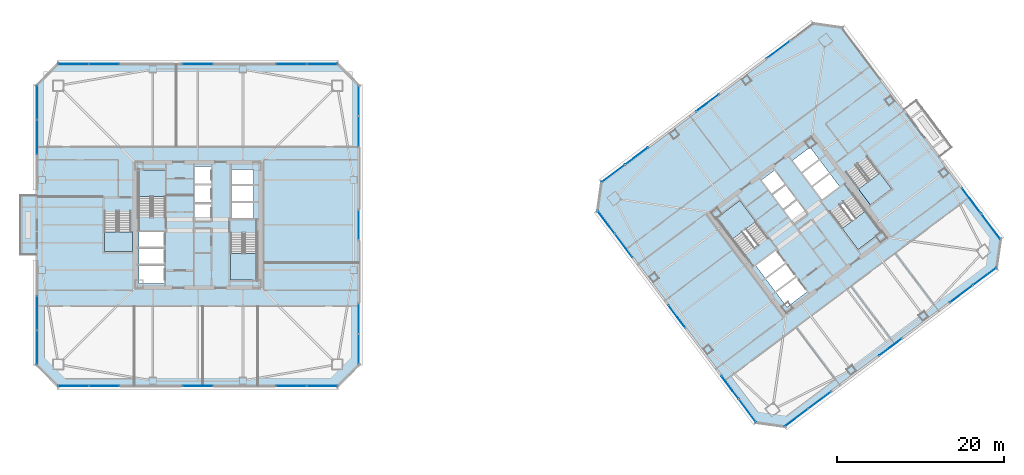
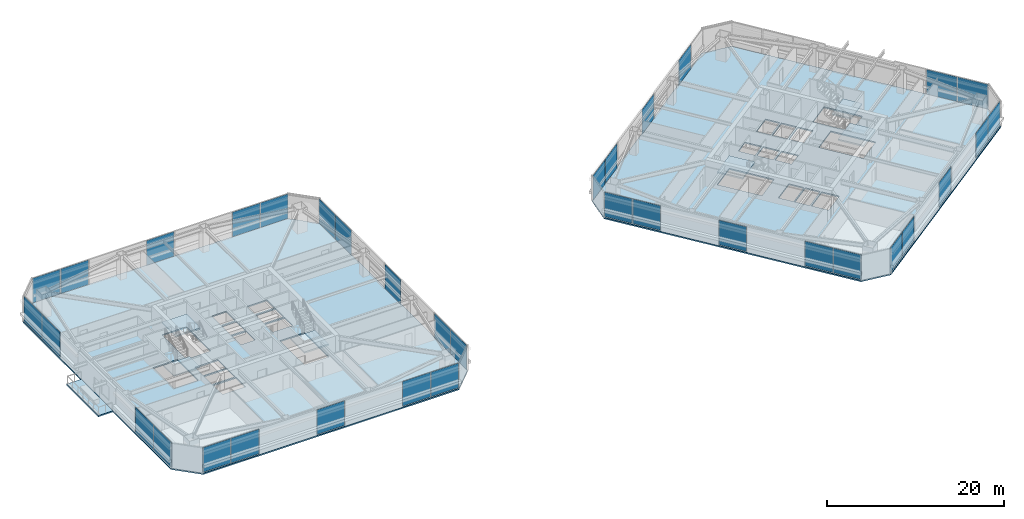
# One storey, part 32 of 44: 35 plates, 9 slabs, 27 elements without a shape of their own.
"""IFC4 building model written with IfcOpenShell, lengths in metres."""

from ifc_helpers import new_model, si_unit, direction, frame, origin, origin_2d, place, context, subcontext, project, spatial, polyline, rectangle, outline, extrude, material, layer, layer_set, type_object, element, aggregate, save


model = new_model("IFC4")

# Units and contexts
model_context = context("Model", 3, precision=1e-05, world=origin(), true_north=direction((0.0, 1.0)))
body_context = subcontext(model_context, "Body", "Model", "MODEL_VIEW")
ifc_project = project(units=[si_unit("LENGTHUNIT", "METRE"), si_unit("AREAUNIT", "SQUARE_METRE"), si_unit("VOLUMEUNIT", "CUBIC_METRE"), si_unit("PLANEANGLEUNIT", "RADIAN"), si_unit("MASSUNIT", "GRAM", prefix="KILO")], contexts=[model_context])

# Site, building, storey
site_placement = place(None, origin())
site = spatial("IfcSite", under=ifc_project, at=site_placement, CompositionType="ELEMENT")
building_placement = place(site_placement, origin())
building = spatial("IfcBuilding", under=site, at=building_placement, Name="Tashvorn Skyway Center", CompositionType="ELEMENT")
storey_placement = place(building_placement, frame((0.0, 0.0, 128.60009765625)))
storey = spatial("IfcBuildingStorey", under=building, at=storey_placement, Name="L34", CompositionType="ELEMENT", Elevation=128.60009765625)

# Curtain wall, plates
ifc_material_1 = material(Name="Thermally broken bronze-anodized aluminium 6063-T6", Category="aluminium")
curtain_wall_type = type_object("IfcCurtainWallType", Name="CW-CW-Z3", PredefinedType="NOTDEFINED", material=ifc_material_1)
curtain_wall_1_placement = place(storey_placement, origin())
curtain_wall_1 = element("IfcCurtainWall", 1, at=curtain_wall_1_placement, inside=storey, type_object=curtain_wall_type, Name="Tower 1 L34 South Unitised Curtain Wall Glazing Group 1", PredefinedType="NOTDEFINED")
ifc_material_2 = material(Name="Low-E solar-control double insulating safety glass", Category="glass")
ifc_layer_1 = layer(ifc_material_2, 0.0400390625)
ifc_layer_set_1 = layer_set([ifc_layer_1], Name="Low-E solar-control double insulating safety glass")
plate_type = type_object("IfcPlateType", Name="CWP-CW-Z3", PredefinedType="CURTAIN_PANEL", material=ifc_layer_set_1)
plate_1_placement = place(storey_placement, frame((56.896728515625, 12.719970703125, 0.074951171875), z_axis=(0.0, 0.0, 1.0), x_axis=(-1.0, 0.0, 0.0)))
plate_1 = element("IfcPlate", 2, at=plate_1_placement, type_object=plate_type, Name="CW-Z3 panel 1.1", PredefinedType="CURTAIN_PANEL", context=body_context, shape_type="SweptSolid", body=[
    extrude(rectangle(XDim=3.616455078125, YDim=0.0400390625, at=origin_2d()), origin(), (0.0, 0.0, 1.0), 3.39990234375),
])
plate_2_placement = place(storey_placement, frame((53.205322265625, 12.719970703125, 0.074951171875), z_axis=(0.0, 0.0, 1.0), x_axis=(-1.0, 0.0, 0.0)))
plate_2 = element("IfcPlate", 3, at=plate_2_placement, type_object=plate_type, Name="CW-Z3 panel 2.1", PredefinedType="CURTAIN_PANEL", context=body_context, shape_type="SweptSolid", body=[
    extrude(rectangle(XDim=3.616455078125, YDim=0.0400390625, at=origin_2d()), origin(), (0.0, 0.0, 1.0), 3.39990234375),
])
aggregate(curtain_wall_1, [plate_1, plate_2])

# Curtain wall, plate
curtain_wall_2_placement = place(storey_placement, origin())
curtain_wall_2 = element("IfcCurtainWall", 4, at=curtain_wall_2_placement, inside=storey, type_object=curtain_wall_type, Name="Tower 1 L34 South Unitised Curtain Wall Glazing Group 2", PredefinedType="NOTDEFINED")
plate_3_placement = place(storey_placement, frame((42.0, 12.719970703125, 0.074951171875), z_axis=(0.0, 0.0, 1.0), x_axis=(-1.0, 0.0, 0.0)))
plate_3 = element("IfcPlate", 5, at=plate_3_placement, type_object=plate_type, Name="CW-Z3 panel 1.1", PredefinedType="CURTAIN_PANEL", context=body_context, shape_type="SweptSolid", body=[
    extrude(rectangle(XDim=3.578857421875, YDim=0.0400390625, at=origin_2d()), origin(), (0.0, 0.0, 1.0), 3.39990234375),
])
aggregate(curtain_wall_2, [plate_3])

# Curtain wall, plates
curtain_wall_3_placement = place(storey_placement, origin())
curtain_wall_3 = element("IfcCurtainWall", 6, at=curtain_wall_3_placement, inside=storey, type_object=curtain_wall_type, Name="Tower 1 L34 South Unitised Curtain Wall Glazing Group 3", PredefinedType="NOTDEFINED")
plate_4_placement = place(storey_placement, frame((30.794677734375, 12.719970703125, 0.074951171875), z_axis=(0.0, 0.0, 1.0), x_axis=(-1.0, 0.0, 0.0)))
plate_4 = element("IfcPlate", 7, at=plate_4_placement, type_object=plate_type, Name="CW-Z3 panel 1.1", PredefinedType="CURTAIN_PANEL", context=body_context, shape_type="SweptSolid", body=[
    extrude(rectangle(XDim=3.616455078125, YDim=0.0400390625, at=origin_2d()), origin(), (0.0, 0.0, 1.0), 3.39990234375),
])
plate_5_placement = place(storey_placement, frame((27.103271484375, 12.719970703125, 0.074951171875), z_axis=(0.0, 0.0, 1.0), x_axis=(-1.0, 0.0, 0.0)))
plate_5 = element("IfcPlate", 8, at=plate_5_placement, type_object=plate_type, Name="CW-Z3 panel 2.1", PredefinedType="CURTAIN_PANEL", context=body_context, shape_type="SweptSolid", body=[
    extrude(rectangle(XDim=3.616455078125, YDim=0.0400390625, at=origin_2d()), origin(), (0.0, 0.0, 1.0), 3.39990234375),
])
aggregate(curtain_wall_3, [plate_4, plate_5])

curtain_wall_4_placement = place(storey_placement, origin())
curtain_wall_4 = element("IfcCurtainWall", 9, at=curtain_wall_4_placement, inside=storey, type_object=curtain_wall_type, Name="Tower 1 L34 West Curtain Wall L Glazing Group 1", PredefinedType="NOTDEFINED")
plate_6_placement = place(storey_placement, frame((22.719970703125, 17.3271484375, 0.074951171875), z_axis=(0.0, 0.0, 1.0), x_axis=(0.0, 1.0, 0.0)))
plate_6 = element("IfcPlate", 10, at=plate_6_placement, type_object=plate_type, Name="CW-Z3 panel 1.1", PredefinedType="CURTAIN_PANEL", context=body_context, shape_type="SweptSolid", body=[
    extrude(rectangle(XDim=4.064208984375, YDim=0.0400390625, at=origin_2d()), origin(), (0.0, 0.0, 1.0), 3.39990234375),
])
plate_7_placement = place(storey_placement, frame((22.719970703125, 21.46630859375, 0.074951171875), z_axis=(0.0, 0.0, 1.0), x_axis=(0.0, 1.0, 0.0)))
plate_7 = element("IfcPlate", 11, at=plate_7_placement, type_object=plate_type, Name="CW-Z3 panel 2.1", PredefinedType="CURTAIN_PANEL", context=body_context, shape_type="SweptSolid", body=[
    extrude(rectangle(XDim=4.064208984375, YDim=0.0400390625, at=origin_2d()), origin(), (0.0, 0.0, 1.0), 3.39990234375),
])
aggregate(curtain_wall_4, [plate_6, plate_7])

curtain_wall_5_placement = place(storey_placement, origin())
curtain_wall_5 = element("IfcCurtainWall", 12, at=curtain_wall_5_placement, inside=storey, type_object=curtain_wall_type, Name="Tower 1 L34 West Curtain Wall R Glazing Group 1", PredefinedType="NOTDEFINED")
plate_8_placement = place(storey_placement, frame((22.719970703125, 42.53369140625, 0.074951171875), z_axis=(0.0, 0.0, 1.0), x_axis=(0.0, 1.0, 0.0)))
plate_8 = element("IfcPlate", 13, at=plate_8_placement, type_object=plate_type, Name="CW-Z3 panel 1.1", PredefinedType="CURTAIN_PANEL", context=body_context, shape_type="SweptSolid", body=[
    extrude(rectangle(XDim=4.064208984375, YDim=0.0400390625, at=origin_2d()), origin(), (0.0, 0.0, 1.0), 3.39990234375),
])
plate_9_placement = place(storey_placement, frame((22.719970703125, 46.6728515625, 0.074951171875), z_axis=(0.0, 0.0, 1.0), x_axis=(0.0, 1.0, 0.0)))
plate_9 = element("IfcPlate", 14, at=plate_9_placement, type_object=plate_type, Name="CW-Z3 panel 2.1", PredefinedType="CURTAIN_PANEL", context=body_context, shape_type="SweptSolid", body=[
    extrude(rectangle(XDim=4.064208984375, YDim=0.0400390625, at=origin_2d()), origin(), (0.0, 0.0, 1.0), 3.39990234375),
])
aggregate(curtain_wall_5, [plate_8, plate_9])

curtain_wall_6_placement = place(storey_placement, origin())
curtain_wall_6 = element("IfcCurtainWall", 15, at=curtain_wall_6_placement, inside=storey, type_object=curtain_wall_type, Name="Tower 1 L34 North Unitised Curtain Wall Glazing Group 1", PredefinedType="NOTDEFINED")
plate_10_placement = place(storey_placement, frame((27.103271484375, 51.280029296875, 0.074951171875), z_axis=(0.0, 0.0, 1.0), x_axis=(1.0, 0.0, 0.0)))
plate_10 = element("IfcPlate", 16, at=plate_10_placement, type_object=plate_type, Name="CW-Z3 panel 1.1", PredefinedType="CURTAIN_PANEL", context=body_context, shape_type="SweptSolid", body=[
    extrude(rectangle(XDim=3.616455078125, YDim=0.0400390625, at=origin_2d()), origin(), (0.0, 0.0, 1.0), 3.39990234375),
])
plate_11_placement = place(storey_placement, frame((30.794677734375, 51.280029296875, 0.074951171875), z_axis=(0.0, 0.0, 1.0), x_axis=(1.0, 0.0, 0.0)))
plate_11 = element("IfcPlate", 17, at=plate_11_placement, type_object=plate_type, Name="CW-Z3 panel 2.1", PredefinedType="CURTAIN_PANEL", context=body_context, shape_type="SweptSolid", body=[
    extrude(rectangle(XDim=3.616455078125, YDim=0.0400390625, at=origin_2d()), origin(), (0.0, 0.0, 1.0), 3.39990234375),
])
aggregate(curtain_wall_6, [plate_10, plate_11])

# Curtain wall, plate
curtain_wall_7_placement = place(storey_placement, origin())
curtain_wall_7 = element("IfcCurtainWall", 18, at=curtain_wall_7_placement, inside=storey, type_object=curtain_wall_type, Name="Tower 1 L34 North Unitised Curtain Wall Glazing Group 2", PredefinedType="NOTDEFINED")
plate_12_placement = place(storey_placement, frame((42.0, 51.280029296875, 0.074951171875), z_axis=(0.0, 0.0, 1.0), x_axis=(1.0, 0.0, 0.0)))
plate_12 = element("IfcPlate", 19, at=plate_12_placement, type_object=plate_type, Name="CW-Z3 panel 1.1", PredefinedType="CURTAIN_PANEL", context=body_context, shape_type="SweptSolid", body=[
    extrude(rectangle(XDim=3.578857421875, YDim=0.0400390625, at=origin_2d()), origin(), (0.0, 0.0, 1.0), 3.39990234375),
])
aggregate(curtain_wall_7, [plate_12])

# Curtain wall, plates
curtain_wall_8_placement = place(storey_placement, origin())
curtain_wall_8 = element("IfcCurtainWall", 20, at=curtain_wall_8_placement, inside=storey, type_object=curtain_wall_type, Name="Tower 1 L34 North Unitised Curtain Wall Glazing Group 3", PredefinedType="NOTDEFINED")
plate_13_placement = place(storey_placement, frame((53.205322265625, 51.280029296875, 0.074951171875), z_axis=(0.0, 0.0, 1.0), x_axis=(1.0, 0.0, 0.0)))
plate_13 = element("IfcPlate", 21, at=plate_13_placement, type_object=plate_type, Name="CW-Z3 panel 1.1", PredefinedType="CURTAIN_PANEL", context=body_context, shape_type="SweptSolid", body=[
    extrude(rectangle(XDim=3.616455078125, YDim=0.0400390625, at=origin_2d()), origin(), (0.0, 0.0, 1.0), 3.39990234375),
])
plate_14_placement = place(storey_placement, frame((56.896728515625, 51.280029296875, 0.074951171875), z_axis=(0.0, 0.0, 1.0), x_axis=(1.0, 0.0, 0.0)))
plate_14 = element("IfcPlate", 22, at=plate_14_placement, type_object=plate_type, Name="CW-Z3 panel 2.1", PredefinedType="CURTAIN_PANEL", context=body_context, shape_type="SweptSolid", body=[
    extrude(rectangle(XDim=3.616455078125, YDim=0.0400390625, at=origin_2d()), origin(), (0.0, 0.0, 1.0), 3.39990234375),
])
aggregate(curtain_wall_8, [plate_13, plate_14])

curtain_wall_9_placement = place(storey_placement, origin())
curtain_wall_9 = element("IfcCurtainWall", 23, at=curtain_wall_9_placement, inside=storey, type_object=curtain_wall_type, Name="Tower 1 L34 East Unitised Curtain Wall Glazing Group 1", PredefinedType="NOTDEFINED")
plate_15_placement = place(storey_placement, frame((61.280029296875, 46.896728515625, 0.074951171875), z_axis=(0.0, 0.0, 1.0), x_axis=(0.0, -1.0, 0.0)))
plate_15 = element("IfcPlate", 24, at=plate_15_placement, type_object=plate_type, Name="CW-Z3 panel 1.1", PredefinedType="CURTAIN_PANEL", context=body_context, shape_type="SweptSolid", body=[
    extrude(rectangle(XDim=3.616455078125, YDim=0.0400390625, at=origin_2d()), origin(), (0.0, 0.0, 1.0), 3.39990234375),
])
plate_16_placement = place(storey_placement, frame((61.280029296875, 43.205322265625, 0.074951171875), z_axis=(0.0, 0.0, 1.0), x_axis=(0.0, -1.0, 0.0)))
plate_16 = element("IfcPlate", 25, at=plate_16_placement, type_object=plate_type, Name="CW-Z3 panel 2.1", PredefinedType="CURTAIN_PANEL", context=body_context, shape_type="SweptSolid", body=[
    extrude(rectangle(XDim=3.616455078125, YDim=0.0400390625, at=origin_2d()), origin(), (0.0, 0.0, 1.0), 3.39990234375),
])
aggregate(curtain_wall_9, [plate_15, plate_16])

# Curtain wall, plate
curtain_wall_10_placement = place(storey_placement, origin())
curtain_wall_10 = element("IfcCurtainWall", 26, at=curtain_wall_10_placement, inside=storey, type_object=curtain_wall_type, Name="Tower 1 L34 East Unitised Curtain Wall Glazing Group 2", PredefinedType="NOTDEFINED")
plate_17_placement = place(storey_placement, frame((61.280029296875, 32.0, 0.074951171875), z_axis=(0.0, 0.0, 1.0), x_axis=(0.0, -1.0, 0.0)))
plate_17 = element("IfcPlate", 27, at=plate_17_placement, type_object=plate_type, Name="CW-Z3 panel 1.1", PredefinedType="CURTAIN_PANEL", context=body_context, shape_type="SweptSolid", body=[
    extrude(rectangle(XDim=3.578857421875, YDim=0.0400390625, at=origin_2d()), origin(), (0.0, 0.0, 1.0), 3.39990234375),
])
aggregate(curtain_wall_10, [plate_17])

# Curtain wall, plates
curtain_wall_11_placement = place(storey_placement, origin())
curtain_wall_11 = element("IfcCurtainWall", 28, at=curtain_wall_11_placement, inside=storey, type_object=curtain_wall_type, Name="Tower 1 L34 East Unitised Curtain Wall Glazing Group 3", PredefinedType="NOTDEFINED")
plate_18_placement = place(storey_placement, frame((61.280029296875, 20.794677734375, 0.074951171875), z_axis=(0.0, 0.0, 1.0), x_axis=(0.0, -1.0, 0.0)))
plate_18 = element("IfcPlate", 29, at=plate_18_placement, type_object=plate_type, Name="CW-Z3 panel 1.1", PredefinedType="CURTAIN_PANEL", context=body_context, shape_type="SweptSolid", body=[
    extrude(rectangle(XDim=3.616455078125, YDim=0.0400390625, at=origin_2d()), origin(), (0.0, 0.0, 1.0), 3.39990234375),
])
plate_19_placement = place(storey_placement, frame((61.280029296875, 17.103271484375, 0.074951171875), z_axis=(0.0, 0.0, 1.0), x_axis=(0.0, -1.0, 0.0)))
plate_19 = element("IfcPlate", 30, at=plate_19_placement, type_object=plate_type, Name="CW-Z3 panel 2.1", PredefinedType="CURTAIN_PANEL", context=body_context, shape_type="SweptSolid", body=[
    extrude(rectangle(XDim=3.616455078125, YDim=0.0400390625, at=origin_2d()), origin(), (0.0, 0.0, 1.0), 3.39990234375),
])
aggregate(curtain_wall_11, [plate_18, plate_19])

curtain_wall_12_placement = place(storey_placement, origin())
curtain_wall_12 = element("IfcCurtainWall", 31, at=curtain_wall_12_placement, inside=storey, type_object=curtain_wall_type, Name="Tower 2 L34 South Unitised Curtain Wall Glazing Group 1", PredefinedType="NOTDEFINED")
plate_20_placement = place(storey_placement, frame((136.245361328125, 25.833984375, 0.074951171875), z_axis=(0.0, 0.0, 1.0), x_axis=(-0.799996599484, -0.600004533995, 0.0)))
plate_20 = element("IfcPlate", 32, at=plate_20_placement, type_object=plate_type, Name="CW-Z3 panel 1.1", PredefinedType="CURTAIN_PANEL", context=body_context, shape_type="SweptSolid", body=[
    extrude(rectangle(XDim=3.41650390625, YDim=0.0400390625, at=origin_2d()), origin(), (0.0, 0.0, 1.0), 3.39990234375),
])
plate_21_placement = place(storey_placement, frame((133.452392578125, 23.7392578125, 0.074951171875), z_axis=(0.0, 0.0, 1.0), x_axis=(-0.799996599484, -0.600004533995, 0.0)))
plate_21 = element("IfcPlate", 33, at=plate_21_placement, type_object=plate_type, Name="CW-Z3 panel 2.1", PredefinedType="CURTAIN_PANEL", context=body_context, shape_type="SweptSolid", body=[
    extrude(rectangle(XDim=3.41650390625, YDim=0.0400390625, at=origin_2d()), origin(), (0.0, 0.0, 1.0), 3.39990234375),
])
aggregate(curtain_wall_12, [plate_20, plate_21])

# Curtain wall, plate
curtain_wall_13_placement = place(storey_placement, origin())
curtain_wall_13 = element("IfcCurtainWall", 34, at=curtain_wall_13_placement, inside=storey, type_object=curtain_wall_type, Name="Tower 2 L34 South Unitised Curtain Wall Glazing Group 2", PredefinedType="NOTDEFINED")
plate_22_placement = place(storey_placement, frame((124.968017578125, 17.3759765625, 0.074951171875), z_axis=(0.0, 0.0, 1.0), x_axis=(-0.799999999998, -0.600000000002, 0.0)))
plate_22 = element("IfcPlate", 35, at=plate_22_placement, type_object=plate_type, Name="CW-Z3 panel 1.1", PredefinedType="CURTAIN_PANEL", context=body_context, shape_type="SweptSolid", body=[
    extrude(rectangle(XDim=3.37890625, YDim=0.0400390625, at=origin_2d()), origin(), (0.0, 0.0, 1.0), 3.39990234375),
])
aggregate(curtain_wall_13, [plate_22])

# Curtain wall, plates
curtain_wall_14_placement = place(storey_placement, origin())
curtain_wall_14 = element("IfcCurtainWall", 36, at=curtain_wall_14_placement, inside=storey, type_object=curtain_wall_type, Name="Tower 2 L34 South Unitised Curtain Wall Glazing Group 3", PredefinedType="NOTDEFINED")
plate_23_placement = place(storey_placement, frame((116.483642578125, 11.0126953125, 0.074951171875), z_axis=(0.0, 0.0, 1.0), x_axis=(-0.799996599484, -0.600004533995, 0.0)))
plate_23 = element("IfcPlate", 37, at=plate_23_placement, type_object=plate_type, Name="CW-Z3 panel 1.1", PredefinedType="CURTAIN_PANEL", context=body_context, shape_type="SweptSolid", body=[
    extrude(rectangle(XDim=3.41650390625, YDim=0.0400390625, at=origin_2d()), origin(), (0.0, 0.0, 1.0), 3.39990234375),
])
plate_24_placement = place(storey_placement, frame((113.6904296875, 8.91796875, 0.074951171875), z_axis=(0.0, 0.0, 1.0), x_axis=(-0.799996599484, -0.600004533995, 0.0)))
plate_24 = element("IfcPlate", 38, at=plate_24_placement, type_object=plate_type, Name="CW-Z3 panel 2.1", PredefinedType="CURTAIN_PANEL", context=body_context, shape_type="SweptSolid", body=[
    extrude(rectangle(XDim=3.41650390625, YDim=0.0400390625, at=origin_2d()), origin(), (0.0, 0.0, 1.0), 3.39990234375),
])
aggregate(curtain_wall_14, [plate_23, plate_24])

curtain_wall_15_placement = place(storey_placement, origin())
curtain_wall_15 = element("IfcCurtainWall", 39, at=curtain_wall_15_placement, inside=storey, type_object=curtain_wall_type, Name="Tower 2 L34 West Unitised Curtain Wall Glazing Group 1", PredefinedType="NOTDEFINED")
plate_25_placement = place(storey_placement, frame((107.833984375, 9.754638671875, 0.074951171875), z_axis=(0.0, 0.0, 1.0), x_axis=(-0.600004533995, 0.799996599484, 0.0)))
plate_25 = element("IfcPlate", 40, at=plate_25_placement, type_object=plate_type, Name="CW-Z3 panel 1.1", PredefinedType="CURTAIN_PANEL", context=body_context, shape_type="SweptSolid", body=[
    extrude(rectangle(XDim=3.41650390625, YDim=0.0400390625, at=origin_2d()), origin(), (0.0, 0.0, 1.0), 3.39990234375),
])
plate_26_placement = place(storey_placement, frame((105.7392578125, 12.547607421875, 0.074951171875), z_axis=(0.0, 0.0, 1.0), x_axis=(-0.600004533995, 0.799996599484, 0.0)))
plate_26 = element("IfcPlate", 41, at=plate_26_placement, type_object=plate_type, Name="CW-Z3 panel 2.1", PredefinedType="CURTAIN_PANEL", context=body_context, shape_type="SweptSolid", body=[
    extrude(rectangle(XDim=3.41650390625, YDim=0.0400390625, at=origin_2d()), origin(), (0.0, 0.0, 1.0), 3.39990234375),
])
aggregate(curtain_wall_15, [plate_25, plate_26])

# Curtain wall, plate
curtain_wall_16_placement = place(storey_placement, origin())
curtain_wall_16 = element("IfcCurtainWall", 42, at=curtain_wall_16_placement, inside=storey, type_object=curtain_wall_type, Name="Tower 2 L34 West Unitised Curtain Wall Glazing Group 2", PredefinedType="NOTDEFINED")
plate_27_placement = place(storey_placement, frame((99.3759765625, 21.031982421875, 0.074951171875), z_axis=(0.0, 0.0, 1.0), x_axis=(-0.600000000002, 0.799999999998, 0.0)))
plate_27 = element("IfcPlate", 43, at=plate_27_placement, type_object=plate_type, Name="CW-Z3 panel 1.1", PredefinedType="CURTAIN_PANEL", context=body_context, shape_type="SweptSolid", body=[
    extrude(rectangle(XDim=3.37890625, YDim=0.0400390625, at=origin_2d()), origin(), (0.0, 0.0, 1.0), 3.39990234375),
])
aggregate(curtain_wall_16, [plate_27])

# Curtain wall, plates
curtain_wall_17_placement = place(storey_placement, origin())
curtain_wall_17 = element("IfcCurtainWall", 44, at=curtain_wall_17_placement, inside=storey, type_object=curtain_wall_type, Name="Tower 2 L34 West Unitised Curtain Wall Glazing Group 3", PredefinedType="NOTDEFINED")
plate_28_placement = place(storey_placement, frame((93.0126953125, 29.516357421875, 0.074951171875), z_axis=(0.0, 0.0, 1.0), x_axis=(-0.600004533995, 0.799996599484, 0.0)))
plate_28 = element("IfcPlate", 45, at=plate_28_placement, type_object=plate_type, Name="CW-Z3 panel 1.1", PredefinedType="CURTAIN_PANEL", context=body_context, shape_type="SweptSolid", body=[
    extrude(rectangle(XDim=3.41650390625, YDim=0.0400390625, at=origin_2d()), origin(), (0.0, 0.0, 1.0), 3.39990234375),
])
plate_29_placement = place(storey_placement, frame((90.91796875, 32.3095703125, 0.074951171875), z_axis=(0.0, 0.0, 1.0), x_axis=(-0.600004533995, 0.799996599484, 0.0)))
plate_29 = element("IfcPlate", 46, at=plate_29_placement, type_object=plate_type, Name="CW-Z3 panel 2.1", PredefinedType="CURTAIN_PANEL", context=body_context, shape_type="SweptSolid", body=[
    extrude(rectangle(XDim=3.41650390625, YDim=0.0400390625, at=origin_2d()), origin(), (0.0, 0.0, 1.0), 3.39990234375),
])
aggregate(curtain_wall_17, [plate_28, plate_29])

curtain_wall_18_placement = place(storey_placement, origin())
curtain_wall_18 = element("IfcCurtainWall", 47, at=curtain_wall_18_placement, inside=storey, type_object=curtain_wall_type, Name="Tower 2 L34 North Unitised Curtain Wall Glazing Group 1", PredefinedType="NOTDEFINED")
plate_30_placement = place(storey_placement, frame((91.754638671875, 38.166015625, 0.074951171875), z_axis=(0.0, 0.0, 1.0), x_axis=(0.799996599484, 0.600004533995, 0.0)))
plate_30 = element("IfcPlate", 48, at=plate_30_placement, type_object=plate_type, Name="CW-Z3 panel 1.1", PredefinedType="CURTAIN_PANEL", context=body_context, shape_type="SweptSolid", body=[
    extrude(rectangle(XDim=3.41650390625, YDim=0.0400390625, at=origin_2d()), origin(), (0.0, 0.0, 1.0), 3.39990234375),
])
plate_31_placement = place(storey_placement, frame((94.547607421875, 40.2607421875, 0.074951171875), z_axis=(0.0, 0.0, 1.0), x_axis=(0.799996599484, 0.600004533995, 0.0)))
plate_31 = element("IfcPlate", 49, at=plate_31_placement, type_object=plate_type, Name="CW-Z3 panel 2.1", PredefinedType="CURTAIN_PANEL", context=body_context, shape_type="SweptSolid", body=[
    extrude(rectangle(XDim=3.41650390625, YDim=0.0400390625, at=origin_2d()), origin(), (0.0, 0.0, 1.0), 3.39990234375),
])
aggregate(curtain_wall_18, [plate_30, plate_31])

# Curtain wall, plate
curtain_wall_19_placement = place(storey_placement, origin())
curtain_wall_19 = element("IfcCurtainWall", 50, at=curtain_wall_19_placement, inside=storey, type_object=curtain_wall_type, Name="Tower 2 L34 North Unitised Curtain Wall Glazing Group 2", PredefinedType="NOTDEFINED")
plate_32_placement = place(storey_placement, frame((103.031982421875, 46.6240234375, 0.074951171875), z_axis=(0.0, 0.0, 1.0), x_axis=(0.799999999998, 0.600000000002, 0.0)))
plate_32 = element("IfcPlate", 51, at=plate_32_placement, type_object=plate_type, Name="CW-Z3 panel 1.1", PredefinedType="CURTAIN_PANEL", context=body_context, shape_type="SweptSolid", body=[
    extrude(rectangle(XDim=3.37890625, YDim=0.0400390625, at=origin_2d()), origin(), (0.0, 0.0, 1.0), 3.39990234375),
])
aggregate(curtain_wall_19, [plate_32])

curtain_wall_20_placement = place(storey_placement, origin())
curtain_wall_20 = element("IfcCurtainWall", 52, at=curtain_wall_20_placement, inside=storey, type_object=curtain_wall_type, Name="Tower 2 L34 North Unitised Curtain Wall Glazing Group 3", PredefinedType="NOTDEFINED")
plate_33_placement = place(storey_placement, frame((111.516357421875, 52.9873046875, 0.074951171875), z_axis=(0.0, 0.0, 1.0), x_axis=(0.799996599484, 0.600004533995, 0.0)))
plate_33 = element("IfcPlate", 53, at=plate_33_placement, type_object=plate_type, Name="CW-Z3 panel 1.1", PredefinedType="CURTAIN_PANEL", context=body_context, shape_type="SweptSolid", body=[
    extrude(rectangle(XDim=3.41650390625, YDim=0.0400390625, at=origin_2d()), origin(), (0.0, 0.0, 1.0), 3.39990234375),
])
aggregate(curtain_wall_20, [plate_33])

# Curtain wall, plates
curtain_wall_21_placement = place(storey_placement, origin())
curtain_wall_21 = element("IfcCurtainWall", 54, at=curtain_wall_21_placement, inside=storey, type_object=curtain_wall_type, Name="Tower 2 L34 East Curtain Wall R Glazing Group 1", PredefinedType="NOTDEFINED")
plate_34_placement = place(storey_placement, frame((134.67431640625, 34.901123046875, 0.074951171875), z_axis=(0.0, 0.0, 1.0), x_axis=(0.599997936379, -0.800001547712, 0.0)))
plate_34 = element("IfcPlate", 55, at=plate_34_placement, type_object=plate_type, Name="CW-Z3 panel 1.1", PredefinedType="CURTAIN_PANEL", context=body_context, shape_type="SweptSolid", body=[
    extrude(rectangle(XDim=3.76416015625, YDim=0.0400390625, at=origin_2d()), origin(), (0.0, 0.0, 1.0), 3.39990234375),
])
plate_35_placement = place(storey_placement, frame((136.977783203125, 31.82958984375, 0.074951171875), z_axis=(0.0, 0.0, 1.0), x_axis=(0.599997936379, -0.800001547712, 0.0)))
plate_35 = element("IfcPlate", 56, at=plate_35_placement, type_object=plate_type, Name="CW-Z3 panel 2.1", PredefinedType="CURTAIN_PANEL", context=body_context, shape_type="SweptSolid", body=[
    extrude(rectangle(XDim=3.76416015625, YDim=0.0400390625, at=origin_2d()), origin(), (0.0, 0.0, 1.0), 3.39990234375),
])
aggregate(curtain_wall_21, [plate_34, plate_35])

# Slabs
ifc_material_3 = material(Name="Concrete C40/50", Category="concrete")
ifc_layer_2 = layer(ifc_material_3, 0.179931640625)
ifc_layer_set_2 = layer_set([ifc_layer_2], Name="Concrete C40/50")
slab_type_1 = type_object("IfcSlabType", Name="SLAB-FLR-180", PredefinedType="FLOOR", material=ifc_layer_set_2)
slab_1_placement = place(storey_placement, frame((0.0, 0.0, -0.18017578125)))
element("IfcSlab", 57, at=slab_1_placement, inside=storey, type_object=slab_type_1, Name="Tower 1 L34 Composite Floor Slab", PredefinedType="FLOOR", context=body_context, shape_type="SweptSolid", body=[
    extrude(outline(polyline([(25.300048828125, 12.60009765625), (58.699951171875, 12.60009765625), (61.39990234375, 15.300048828125), (61.39990234375, 48.699951171875), (58.699951171875, 51.39990234375), (25.300048828125, 51.39990234375), (22.60009765625, 48.699951171875), (22.60009765625, 15.300048828125), (25.300048828125, 12.60009765625)]), holes=[polyline([(38.10009765625, 33.080078125), (38.10009765625, 38.60009765625), (34.89990234375, 38.60009765625), (34.89990234375, 33.080078125), (38.10009765625, 33.080078125)]), polyline([(45.89990234375, 30.919921875), (45.89990234375, 25.39990234375), (49.10009765625, 25.39990234375), (49.10009765625, 30.919921875), (45.89990234375, 30.919921875)]), polyline([(30.800048828125, 33.52001953125), (30.800048828125, 28.800048828125), (34.0, 28.800048828125), (34.0, 33.52001953125), (30.800048828125, 33.52001953125)]), polyline([(34.949951171875, 29.35009765625), (37.949951171875, 29.35009765625), (37.949951171875, 31.199951171875), (34.949951171875, 31.199951171875), (34.949951171875, 29.35009765625)]), polyline([(34.949951171875, 27.35009765625), (37.949951171875, 27.35009765625), (37.949951171875, 29.199951171875), (34.949951171875, 29.199951171875), (34.949951171875, 27.35009765625)]), polyline([(34.949951171875, 25.0), (37.949951171875, 25.0), (37.949951171875, 27.14990234375), (34.949951171875, 27.14990234375), (34.949951171875, 25.0)]), polyline([(41.64990234375, 32.449951171875), (43.550048828125, 32.449951171875), (43.550048828125, 34.5), (41.64990234375, 34.5), (41.64990234375, 32.449951171875)]), polyline([(41.64990234375, 34.699951171875), (43.550048828125, 34.699951171875), (43.550048828125, 36.75), (41.64990234375, 36.75), (41.64990234375, 34.699951171875)]), polyline([(41.64990234375, 36.949951171875), (43.550048828125, 36.949951171875), (43.550048828125, 39.0), (41.64990234375, 39.0), (41.64990234375, 36.949951171875)]), polyline([(46.050048828125, 32.800048828125), (48.64990234375, 32.800048828125), (48.64990234375, 34.64990234375), (46.050048828125, 34.64990234375), (46.050048828125, 32.800048828125)]), polyline([(46.050048828125, 34.85009765625), (48.64990234375, 34.85009765625), (48.64990234375, 36.699951171875), (46.050048828125, 36.699951171875), (46.050048828125, 34.85009765625)]), polyline([(46.050048828125, 36.89990234375), (48.64990234375, 36.89990234375), (48.64990234375, 38.64990234375), (46.050048828125, 38.64990234375), (46.050048828125, 36.89990234375)])]), origin(), (0.0, 0.0, 1.0), 0.18017578125),
])
slab_2_placement = place(storey_placement, frame((0.0, 0.0, -0.18017578125)))
element("IfcSlab", 58, at=slab_2_placement, inside=storey, type_object=slab_type_1, Name="Tower 2 L34 Composite Floor Slab", PredefinedType="FLOOR", context=body_context, shape_type="SweptSolid", body=[
    extrude(outline(polyline([(112.39990234375, 7.800048828125), (137.679931640625, 26.760009765625), (138.199951171875, 30.39990234375), (119.239990234375, 55.679931640625), (115.60009765625, 56.199951171875), (90.320068359375, 37.239990234375), (89.800048828125, 33.60009765625), (108.760009765625, 8.320068359375), (112.39990234375, 7.800048828125)]), holes=[polyline([(110.23193359375, 30.52392578125), (106.919921875, 34.93994140625), (104.135986328125, 32.85205078125), (107.447998046875, 28.43603515625), (110.23193359375, 30.52392578125)]), polyline([(117.76806640625, 33.47607421875), (121.080078125, 29.06005859375), (123.864013671875, 31.14794921875), (120.552001953125, 35.56396484375), (117.76806640625, 33.47607421875)]), polyline([(119.7119140625, 38.18408203125), (122.5439453125, 34.407958984375), (125.10400390625, 36.327880859375), (122.27197265625, 40.10400390625), (119.7119140625, 38.18408203125)]), polyline([(109.949951171875, 25.64990234375), (112.35009765625, 27.449951171875), (111.239990234375, 28.929931640625), (108.840087890625, 27.1298828125), (109.949951171875, 25.64990234375)]), polyline([(111.14990234375, 24.050048828125), (113.550048828125, 25.85009765625), (112.43994140625, 27.330078125), (110.0400390625, 25.530029296875), (111.14990234375, 24.050048828125)]), polyline([(112.56005859375, 22.169921875), (114.9599609375, 23.969970703125), (113.669921875, 25.68994140625), (111.27001953125, 23.889892578125), (112.56005859375, 22.169921875)]), polyline([(113.449951171875, 32.14990234375), (114.969970703125, 33.2900390625), (113.739990234375, 34.929931640625), (112.219970703125, 33.7900390625), (113.449951171875, 32.14990234375)]), polyline([(112.10009765625, 33.949951171875), (113.6201171875, 35.090087890625), (112.389892578125, 36.72998046875), (110.8701171875, 35.590087890625), (112.10009765625, 33.949951171875)]), polyline([(110.75, 35.75), (112.27001953125, 36.889892578125), (111.0400390625, 38.530029296875), (109.52001953125, 37.389892578125), (110.75, 35.75)]), polyline([(116.760009765625, 35.070068359375), (118.840087890625, 36.6298828125), (117.72998046875, 38.110107421875), (115.64990234375, 36.550048828125), (116.760009765625, 35.070068359375)]), polyline([(115.530029296875, 36.7099609375), (117.610107421875, 38.27001953125), (116.5, 39.75), (114.419921875, 38.18994140625), (115.530029296875, 36.7099609375)]), polyline([(114.300048828125, 38.35009765625), (116.3798828125, 39.909912109375), (115.330078125, 41.31005859375), (113.25, 39.75), (114.300048828125, 38.35009765625)])]), origin(), (0.0, 0.0, 1.0), 0.18017578125),
])

# Stair, slab
stair_type = type_object("IfcStairType", Name="STAIR-CORE-1500", PredefinedType="HALF_TURN_STAIR", material=ifc_material_3)
stair_1_placement = place(storey_placement, origin())
stair_1 = element("IfcStair", 59, at=stair_1_placement, inside=storey, type_object=stair_type, Name="L34 Tower 1 Exit Stair 1", PredefinedType="HALF_TURN_STAIR")
ifc_layer_3 = layer(ifc_material_3, 0.199951171875)
ifc_layer_set_3 = layer_set([ifc_layer_3], Name="Concrete C40/50")
slab_type_2 = type_object("IfcSlabType", Name="SLAB-LAND-200", PredefinedType="LANDING", material=ifc_layer_set_3)
slab_3_placement = place(storey_placement, frame((0.0, 0.0, 1.574951171875)))
slab_3 = element("IfcSlab", 60, at=slab_3_placement, type_object=slab_type_2, Name="ST-T1-1 landing 1", PredefinedType="LANDING", context=body_context, shape_type="SweptSolid", body=[
    extrude(outline(polyline([(38.10009765625, 35.43994140625), (38.10009765625, 38.60009765625), (34.89990234375, 38.60009765625), (34.89990234375, 35.43994140625), (38.10009765625, 35.43994140625)])), origin(), (0.0, 0.0, 1.0), 0.199951171875),
])
aggregate(stair_1, [slab_3])

stair_2_placement = place(storey_placement, origin())
stair_2 = element("IfcStair", 61, at=stair_2_placement, inside=storey, type_object=stair_type, Name="L34 Tower 1 Exit Stair 2", PredefinedType="HALF_TURN_STAIR")
slab_4_placement = place(storey_placement, frame((0.0, 0.0, 1.574951171875)))
slab_4 = element("IfcSlab", 62, at=slab_4_placement, type_object=slab_type_2, Name="ST-T1-2 landing 1", PredefinedType="LANDING", context=body_context, shape_type="SweptSolid", body=[
    extrude(outline(polyline([(45.89990234375, 28.56005859375), (45.89990234375, 25.39990234375), (49.10009765625, 25.39990234375), (49.10009765625, 28.56005859375), (45.89990234375, 28.56005859375)])), origin(), (0.0, 0.0, 1.0), 0.199951171875),
])
aggregate(stair_2, [slab_4])

stair_3_placement = place(storey_placement, origin())
stair_3 = element("IfcStair", 63, at=stair_3_placement, inside=storey, type_object=stair_type, Name="L34 Tower 2 Exit Stair 1", PredefinedType="HALF_TURN_STAIR")
slab_5_placement = place(storey_placement, frame((0.0, 0.0, 1.574951171875)))
slab_5 = element("IfcSlab", 64, at=slab_5_placement, type_object=slab_type_2, Name="ST-T2-1 landing 1", PredefinedType="LANDING", context=body_context, shape_type="SweptSolid", body=[
    extrude(outline(polyline([(108.82080078125, 32.405517578125), (106.919921875, 34.93994140625), (104.135986328125, 32.85205078125), (106.036865234375, 30.317626953125), (108.82080078125, 32.405517578125)])), origin(), (0.0, 0.0, 1.0), 0.199951171875),
])
aggregate(stair_3, [slab_5])

stair_4_placement = place(storey_placement, origin())
stair_4 = element("IfcStair", 65, at=stair_4_placement, inside=storey, type_object=stair_type, Name="L34 Tower 2 Exit Stair 2", PredefinedType="HALF_TURN_STAIR")
slab_6_placement = place(storey_placement, frame((0.0, 0.0, 1.574951171875)))
slab_6 = element("IfcSlab", 66, at=slab_6_placement, type_object=slab_type_2, Name="ST-T2-2 landing 1", PredefinedType="LANDING", context=body_context, shape_type="SweptSolid", body=[
    extrude(outline(polyline([(119.17919921875, 31.594482421875), (121.080078125, 29.06005859375), (123.864013671875, 31.14794921875), (121.963134765625, 33.682373046875), (119.17919921875, 31.594482421875)])), origin(), (0.0, 0.0, 1.0), 0.199951171875),
])
aggregate(stair_4, [slab_6])

stair_5_placement = place(storey_placement, origin())
stair_5 = element("IfcStair", 67, at=stair_5_placement, inside=storey, type_object=stair_type, Name="L34 Tower 1 Exit Stair 3", PredefinedType="HALF_TURN_STAIR")
slab_7_placement = place(storey_placement, frame((0.0, 0.0, 1.574951171875)))
slab_7 = element("IfcSlab", 68, at=slab_7_placement, type_object=slab_type_2, Name="ST-T1-3 landing 1", PredefinedType="LANDING", context=body_context, shape_type="SweptSolid", body=[
    extrude(outline(polyline([(30.800048828125, 31.159912109375), (30.800048828125, 28.800048828125), (34.199951171875, 28.800048828125), (34.199951171875, 31.159912109375), (30.800048828125, 31.159912109375)])), origin(), (0.0, 0.0, 1.0), 0.199951171875),
])
aggregate(stair_5, [slab_7])

stair_6_placement = place(storey_placement, origin())
stair_6 = element("IfcStair", 69, at=stair_6_placement, inside=storey, type_object=stair_type, Name="L34 Tower 2 Exit Stair 3", PredefinedType="HALF_TURN_STAIR")
slab_8_placement = place(storey_placement, frame((0.0, 0.0, 1.574951171875)))
slab_8 = element("IfcSlab", 70, at=slab_8_placement, type_object=slab_type_2, Name="ST-T2-3 landing 1", PredefinedType="LANDING", context=body_context, shape_type="SweptSolid", body=[
    extrude(outline(polyline([(121.123291015625, 36.302490234375), (122.5439453125, 34.407958984375), (125.10400390625, 36.327880859375), (123.68310546875, 38.222412109375), (121.123291015625, 36.302490234375)])), origin(), (0.0, 0.0, 1.0), 0.199951171875),
])
aggregate(stair_6, [slab_8])

# Slab
ifc_layer_4 = layer(ifc_material_3, 0.179931640625)
ifc_layer_set_4 = layer_set([ifc_layer_4], Name="Concrete C40/50")
slab_type_3 = type_object("IfcSlabType", Name="SLAB-TERR-200", PredefinedType="FLOOR", material=ifc_layer_set_4)
slab_9_placement = place(storey_placement, frame((0.0, 0.0, -0.18017578125)))
element("IfcSlab", 71, at=slab_9_placement, inside=storey, type_object=slab_type_3, Name="Tower 1 L34 Spiral Planted Terrace Slab", PredefinedType="FLOOR", context=body_context, shape_type="SweptSolid", body=[
    extrude(outline(polyline([(20.699951171875, 28.39990234375), (22.610107421875, 28.39990234375), (22.610107421875, 35.60009765625), (20.699951171875, 35.60009765625), (20.699951171875, 28.39990234375)])), origin(), (0.0, 0.0, 1.0), 0.18017578125),
])

save(model, "model.ifc")
